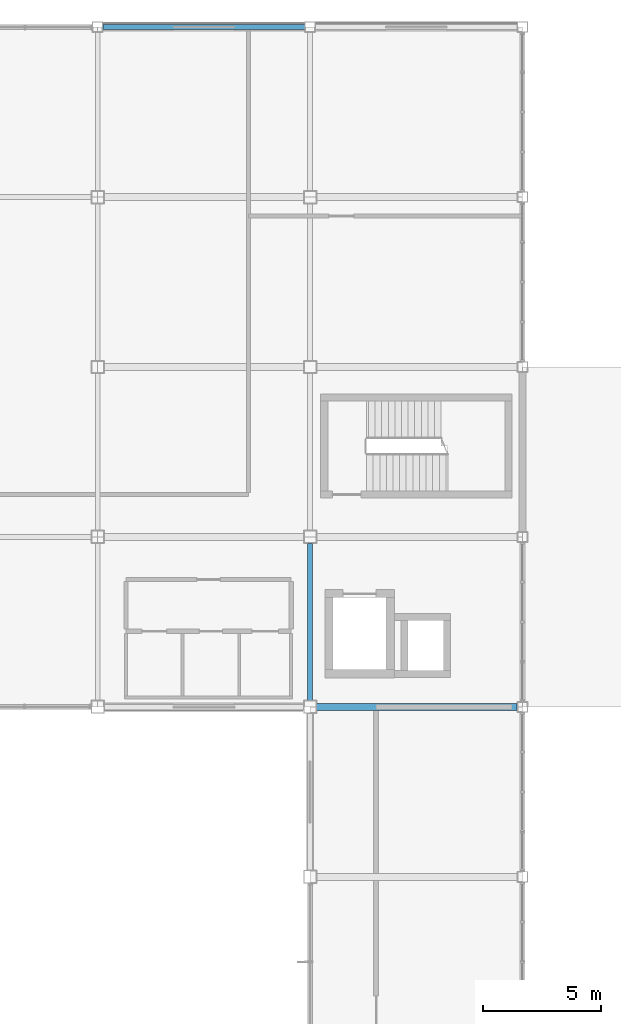
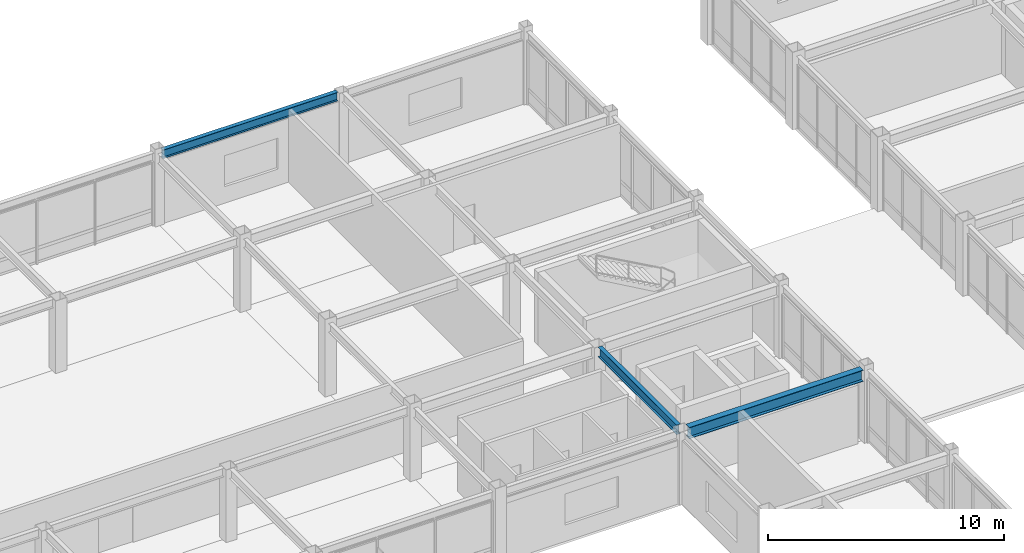
# One storey, part 73 of 113: 3 beams.
"""IFC4 building model written with IfcOpenShell, lengths in metres."""

from ifc_helpers import new_model, si_unit, direction, frame, origin, origin_2d, place, context, subcontext, project, spatial, i_section, extrude, material, material_profile, profile_set, type_object, element, save


model = new_model("IFC4")

# Units and contexts
model_context = context("Model", 3, precision=1e-05, world=origin(), true_north=direction((0.0, 1.0)))
body_context = subcontext(model_context, "Body", "Model", "MODEL_VIEW")
ifc_project = project(units=[si_unit("LENGTHUNIT", "METRE"), si_unit("AREAUNIT", "SQUARE_METRE"), si_unit("VOLUMEUNIT", "CUBIC_METRE"), si_unit("PLANEANGLEUNIT", "RADIAN"), si_unit("MASSUNIT", "GRAM", prefix="KILO")], contexts=[model_context])

# Site, building, storey
site_placement = place(None, origin())
site = spatial("IfcSite", under=ifc_project, at=site_placement, CompositionType="ELEMENT")
building_placement = place(site_placement, origin())
building = spatial("IfcBuilding", under=site, at=building_placement, Name="Kazanami Central Library", CompositionType="ELEMENT")
storey_placement = place(building_placement, frame((0.0, 0.0, 8.800048828125)))
storey = spatial("IfcBuildingStorey", under=building, at=storey_placement, Name="L03", CompositionType="ELEMENT", Elevation=8.800048828125)

# Beams
ifc_material = material(Name="Steel SN490B (325 MPa)", Category="steel")
ifc_material_profile_1 = material_profile(ifc_material, i_section(OverallWidth=0.300048828125, OverallDepth=0.587890625, WebThickness=0.011962890625, FlangeThickness=0.02001953125, at=origin_2d()), Name="H-588x300x12x20")
ifc_profile_set_1 = profile_set([ifc_material_profile_1], Name="Steel SN490B (325 MPa)")
beam_type_1 = type_object("IfcBeamType", Name="BM-G-X2", PredefinedType="BEAM", material=ifc_profile_set_1)
beam_1_placement = place(storey_placement, frame((99.27294921875, 64.800048828125, 3.450927734375), z_axis=(1.0, 0.0, 0.0), x_axis=(0.0, 1.0, 0.0)))
element("IfcBeam", 1, at=beam_1_placement, inside=storey, type_object=beam_type_1, Name="Girder G-X2 L03 K/12-13", PredefinedType="BEAM", context=body_context, shape_type="SweptSolid", body=[
    extrude(i_section(OverallWidth=0.300048828125, OverallDepth=0.587890625, WebThickness=0.011962890625, FlangeThickness=0.02001953125, at=origin_2d()), origin(), (0.0, 0.0, 1.0), 8.504150390625),
])
ifc_material_profile_2 = material_profile(ifc_material, i_section(OverallWidth=0.199951171875, OverallDepth=0.5, WebThickness=0.010009765625, FlangeThickness=0.01611328125, at=origin_2d()), Name="H-500x200x10x16")
ifc_profile_set_2 = profile_set([ifc_material_profile_2], Name="Steel SN490B (325 MPa)")
beam_type_2 = type_object("IfcBeamType", Name="BM-G-Y2", PredefinedType="BEAM", material=ifc_profile_set_2)
beam_2_placement = place(storey_placement, frame((99.0, 65.072998046875, 3.494873046875), z_axis=(0.0, 1.0, 0.0), x_axis=(-1.0, 0.0, 0.0)))
element("IfcBeam", 2, at=beam_2_placement, inside=storey, type_object=beam_type_2, Name="Girder G-Y2 L03 12/K-L", PredefinedType="BEAM", context=body_context, shape_type="SweptSolid", body=[
    extrude(i_section(OverallWidth=0.199951171875, OverallDepth=0.5, WebThickness=0.010009765625, FlangeThickness=0.01611328125, at=origin_2d()), origin(), (0.0, 0.0, 1.0), 6.654052734375),
])
ifc_material_profile_3 = material_profile(ifc_material, i_section(OverallWidth=0.199951171875, OverallDepth=0.449951171875, WebThickness=0.009033203125, FlangeThickness=0.013916015625, at=origin_2d()), Name="H-450x200x9x14")
ifc_profile_set_3 = profile_set([ifc_material_profile_3], Name="Steel SN490B (325 MPa)")
beam_type_3 = type_object("IfcBeamType", Name="BM-SP-2", PredefinedType="SPANDREL", material=ifc_profile_set_3)
beam_3_placement = place(storey_placement, frame((90.222900390625, 93.60009765625, 3.52001953125), z_axis=(1.0, 0.0, 0.0), x_axis=(0.0, 1.0, 0.0)))
element("IfcBeam", 3, at=beam_3_placement, inside=storey, type_object=beam_type_3, Name="Girder SP-2 L03 O/11-12", PredefinedType="SPANDREL", context=body_context, shape_type="SweptSolid", body=[
    extrude(i_section(OverallWidth=0.199951171875, OverallDepth=0.449951171875, WebThickness=0.009033203125, FlangeThickness=0.013916015625, at=origin_2d()), origin(), (0.0, 0.0, 1.0), 8.55419921875),
])

save(model, "model.ifc")
